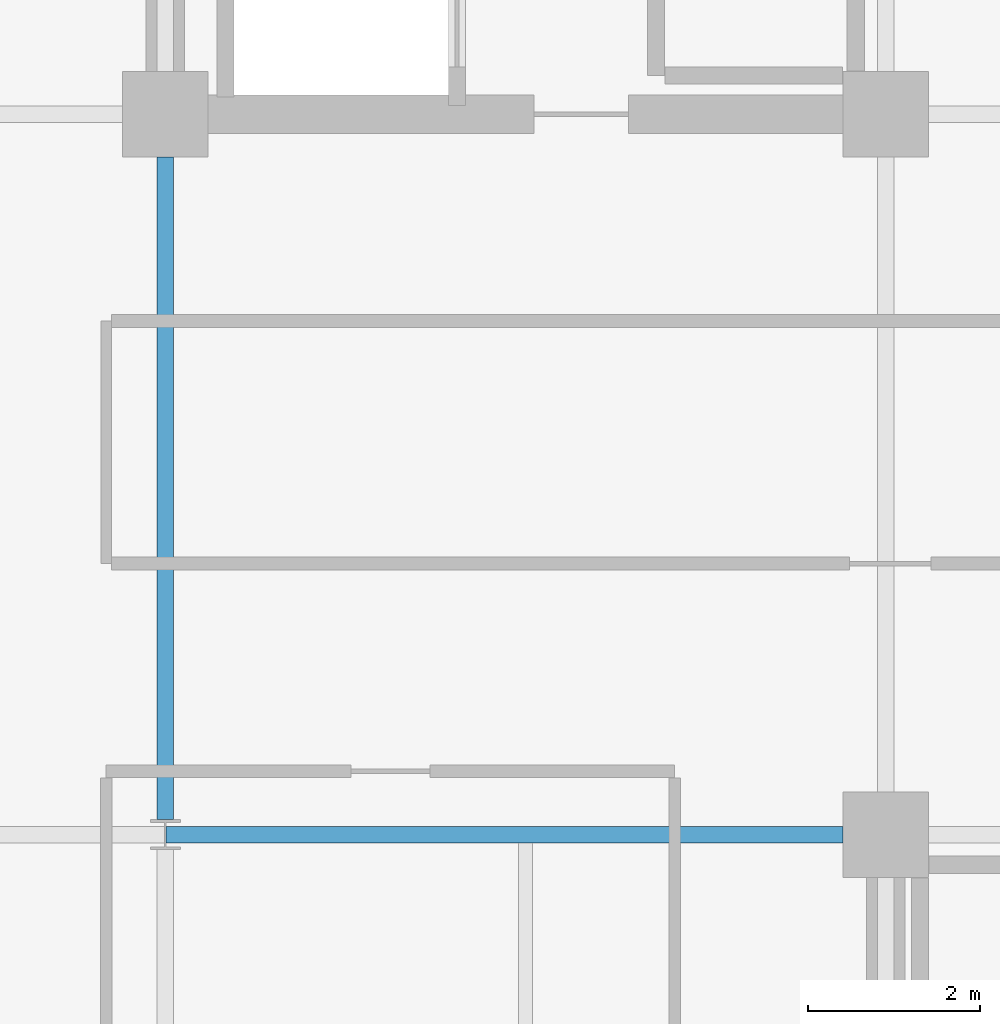
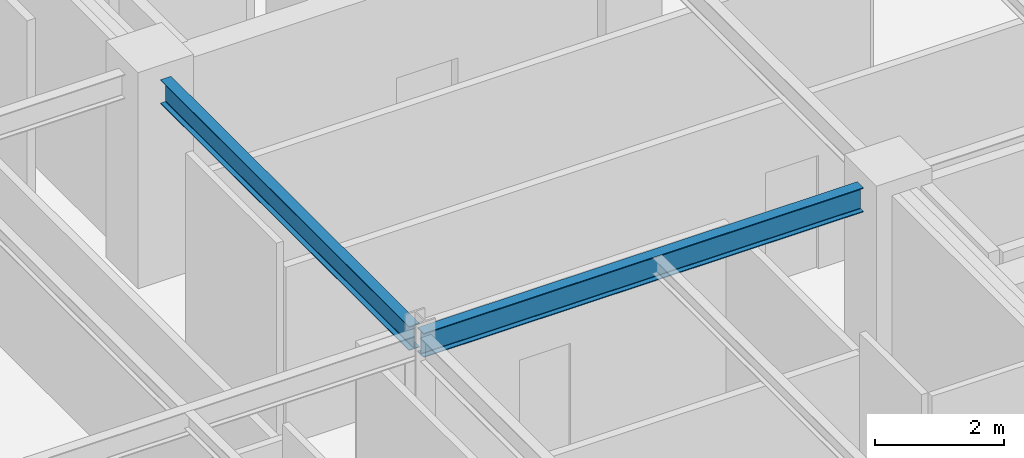
# One storey, part 9 of 25: 2 beams.
"""IFC4 building model written with IfcOpenShell, lengths in metres."""

import ifcopenshell
import ifcopenshell.guid

model = None  # the IFC model being written
_history = None  # IfcOwnerHistory: only IFC2X3 demands one
_inside = {}  # id of a spatial element -> (the spatial element, [elements in it])
_under = {}  # id of a project, library or spatial element -> (it, [spatial elements below it])
_declared = {}  # id of a project -> (the project, [libraries it declares])
_typed = {}  # id of a type object -> (the type object, [elements of that type])
_made_of = {}  # id of a material, layer set ... -> (it, [elements and type objects made of it])


def new_model(schema):
    """Start an empty IFC model of exactly this schema.

    Asked for "IFC4X3", IfcOpenShell would pick the latest addendum, in which some entities
    have other attributes; the version numbers below select the first issue.
    IFC2X3 requires an IfcOwnerHistory on every rooted entity: one is made here for all.
    """
    global model, _history
    if schema == "IFC4X3":
        model = ifcopenshell.file(schema_version=(4, 3, 0, 0))
    else:
        model = ifcopenshell.file(schema=schema)
    _inside.clear()
    _under.clear()
    _declared.clear()
    _typed.clear()
    _made_of.clear()
    _history = None
    if model.schema == "IFC2X3":
        org = make("IfcOrganization", Name="unknown")
        user = make(
            "IfcPersonAndOrganization",
            ThePerson=make("IfcPerson", FamilyName="unknown"),
            TheOrganization=org,
        )
        app = make(
            "IfcApplication",
            ApplicationDeveloper=org,
            Version="unknown",
            ApplicationFullName="unknown",
            ApplicationIdentifier="unknown",
        )
        _history = make(
            "IfcOwnerHistory",
            OwningUser=user,
            OwningApplication=app,
            ChangeAction="ADDED",
            CreationDate=0,
        )
    return model


def make(cls, **values):
    """One entity of the class cls with the attributes given. An attribute that is None is left unset."""
    return model.create_entity(
        cls, **{name: value for name, value in values.items() if value is not None}
    )


def rooted(cls, **values):
    """An entity with a GlobalId (a new one), such as an element, a storey or a relation."""
    return make(cls, GlobalId=ifcopenshell.guid.new(), OwnerHistory=_history, **values)


def si_unit(unit_type, name, prefix=None):
    """IfcSIUnit, for example si_unit("LENGTHUNIT", "METRE", prefix="MILLI")."""
    return make("IfcSIUnit", UnitType=unit_type, Prefix=prefix, Name=name)


def assignment(units):
    """IfcUnitAssignment: the units of a project."""
    return None if units is None else make("IfcUnitAssignment", Units=units)


def point(xyz):
    """IfcCartesianPoint."""
    return None if xyz is None else make("IfcCartesianPoint", Coordinates=xyz)


def direction(xyz):
    """IfcDirection."""
    return None if xyz is None else make("IfcDirection", DirectionRatios=xyz)


def frame(location, z_axis=None, x_axis=None):
    """IfcAxis2Placement3D, a coordinate frame: its origin and axes. An axis left out is left unset."""
    return make(
        "IfcAxis2Placement3D",
        Location=point(location),
        Axis=direction(z_axis),
        RefDirection=direction(x_axis),
    )


def frame_2d(location, x_axis=None):
    """IfcAxis2Placement2D, a coordinate frame in the plane: its origin and x axis."""
    return make(
        "IfcAxis2Placement2D", Location=point(location), RefDirection=direction(x_axis)
    )


def origin():
    """The frame at (0, 0, 0) with its axes left unset."""
    return frame((0.0, 0.0, 0.0))


def origin_2d():
    """The frame at (0, 0) in the plane with its x axis left unset."""
    return frame_2d((0.0, 0.0))


def place(relative_to, where):
    """IfcLocalPlacement: puts the frame where relative to a parent placement (None: the world)."""
    return make(
        "IfcLocalPlacement", PlacementRelTo=relative_to, RelativePlacement=where
    )


def context(
    kind, dimensions, precision=None, world=None, true_north=None, identifier=None
):
    """IfcGeometricRepresentationContext, for example the 3D "Model" context."""
    return make(
        "IfcGeometricRepresentationContext",
        ContextIdentifier=identifier,
        ContextType=kind,
        CoordinateSpaceDimension=dimensions,
        Precision=precision,
        WorldCoordinateSystem=world,
        TrueNorth=true_north,
    )


def subcontext(parent, identifier, kind, view, scale=None):
    """IfcGeometricRepresentationSubContext, for example "Body" below "Model"."""
    return make(
        "IfcGeometricRepresentationSubContext",
        ContextIdentifier=identifier,
        ContextType=kind,
        ParentContext=parent,
        TargetScale=scale,
        TargetView=view,
    )


def project(units=None, contexts=None):
    """IfcProject with its units and contexts."""
    return rooted(
        "IfcProject",
        Name="project",
        RepresentationContexts=contexts,
        UnitsInContext=assignment(units),
    )


def spatial(cls, under=None, at=None, **own):
    """A site, building, storey or space (cls), placed at a placement, below another one or the project."""
    s = rooted(cls, ObjectPlacement=at, **own)
    if under is not None:
        _under.setdefault(under.id(), (under, []))[1].append(s)
    return s


def profile(cls, at=None, kind="AREA", **sizes):
    """A parametric profile (cls). Its sizes go by their IFC names, for example OverallWidth=200.0."""
    return make(cls, ProfileType=kind, Position=at, **sizes)


def i_section(**sizes):
    """IfcIShapeProfileDef."""
    return profile("IfcIShapeProfileDef", **sizes)


def extrude(swept, where, along, depth):
    """IfcExtrudedAreaSolid: the profile swept, set in the frame where, extruded along a direction by depth."""
    return make(
        "IfcExtrudedAreaSolid",
        SweptArea=swept,
        Position=where,
        ExtrudedDirection=direction(along),
        Depth=depth,
    )


def shape(context_of_items, identifier, shape_type, items):
    """IfcShapeRepresentation: the items that make up one representation, for example the "Body"."""
    return make(
        "IfcShapeRepresentation",
        ContextOfItems=context_of_items,
        RepresentationIdentifier=identifier,
        RepresentationType=shape_type,
        Items=items,
    )


def material(Name=None, Category=None):
    """IfcMaterial."""
    return make("IfcMaterial", Name=Name, Category=Category)


def material_profile(
    of_material, cross_section, Name=None, Category=None, Priority=None
):
    """IfcMaterialProfile: a cross section and its material."""
    return make(
        "IfcMaterialProfile",
        Name=Name,
        Material=of_material,
        Profile=cross_section,
        Priority=Priority,
        Category=Category,
    )


def profile_set(profiles, Name=None, composite=None):
    """IfcMaterialProfileSet."""
    return make(
        "IfcMaterialProfileSet",
        Name=Name,
        MaterialProfiles=profiles,
        CompositeProfile=composite,
    )


def made_of(thing, what):
    """Note that an element or type object is made of a material, layer set ...; save() writes the relation."""
    if what is not None:
        _made_of.setdefault(what.id(), (what, []))[1].append(thing)
    return thing


def type_object(cls, material=None, **own):
    """A type object (cls), such as IfcWallType, which elements share."""
    return made_of(rooted(cls, **own), material)


def element(
    cls,
    number,
    at=None,
    inside=None,
    cuts=None,
    type_object=None,
    material=None,
    context=None,
    identifier="Body",
    shape_type=None,
    held_by="IfcProductDefinitionShape",
    body=None,
    shapes=None,
    **own,
):
    """One element of the class cls, such as IfcWall. Its Tag is "e" and its number.

    at: its placement. inside: the storey or other place that contains it. cuts: it is an
    opening in that element (IfcRelVoidsElement). A single representation is given by context,
    identifier, shape_type and body (its items); several are given by shapes. held_by: the class
    of the entity that holds the representations. save() writes the other relations.
    """
    e = rooted(cls, Tag="e%d" % number, ObjectPlacement=at, **own)
    if body is not None:
        shapes = [shape(context, identifier, shape_type, body)]
    if shapes is not None:
        e.Representation = make(held_by, Representations=shapes)
    if inside is not None:
        _inside.setdefault(inside.id(), (inside, []))[1].append(e)
    if cuts is not None:
        rooted(
            "IfcRelVoidsElement", RelatingBuildingElement=cuts, RelatedOpeningElement=e
        )
    if type_object is not None:
        _typed.setdefault(type_object.id(), (type_object, []))[1].append(e)
    return made_of(e, material)


def aggregate(whole, parts):
    """IfcRelAggregates: a whole, such as a stair, and the parts it consists of."""
    return rooted("IfcRelAggregates", RelatingObject=whole, RelatedObjects=parts)


def save(model, path):
    """Write the relations noted so far, then the file.

    IfcRelAggregates (storeys below a building ...), IfcRelContainedInSpatialStructure (elements
    in a storey), IfcRelDefinesByType, IfcRelAssociatesMaterial and IfcRelDeclares: one each for
    every whole, place, type object, material and project.
    """
    for whole, parts in _under.values():
        aggregate(whole, parts)
    for where, things in _inside.values():
        rooted(
            "IfcRelContainedInSpatialStructure",
            RelatedElements=things,
            RelatingStructure=where,
        )
    for kind, things in _typed.values():
        rooted("IfcRelDefinesByType", RelatedObjects=things, RelatingType=kind)
    for what, things in _made_of.values():
        rooted("IfcRelAssociatesMaterial", RelatedObjects=things, RelatingMaterial=what)
    for by, libraries in _declared.values():
        rooted("IfcRelDeclares", RelatingContext=by, RelatedDefinitions=libraries)
    model.write(path)


model = new_model("IFC4")

# Units and contexts
model_context = context("Model", 3, precision=1e-05, world=origin(), true_north=direction((0.0, 1.0)))
body_context = subcontext(model_context, "Body", "Model", "MODEL_VIEW")
ifc_project = project(units=[si_unit("LENGTHUNIT", "METRE"), si_unit("AREAUNIT", "SQUARE_METRE"), si_unit("VOLUMEUNIT", "CUBIC_METRE"), si_unit("PLANEANGLEUNIT", "RADIAN"), si_unit("MASSUNIT", "GRAM", prefix="KILO")], contexts=[model_context])

# Site, building, storey
site_placement = place(None, origin())
site = spatial("IfcSite", under=ifc_project, at=site_placement, CompositionType="ELEMENT")
building_placement = place(site_placement, origin())
building = spatial("IfcBuilding", under=site, at=building_placement, Name="Nerrivon Quay Data Exchange", CompositionType="ELEMENT")
storey_placement = place(building_placement, frame((0.0, 0.0, 237.0)))
storey = spatial("IfcBuildingStorey", under=building, at=storey_placement, Name="L56", CompositionType="ELEMENT", Elevation=237.0)

# Beams
ifc_material = material(Name="Steel Grade 350", Category="steel")
ifc_material_profile_1 = material_profile(ifc_material, i_section(OverallWidth=0.19091796875, OverallDepth=0.4599609375, WebThickness=0.010009765625, FlangeThickness=0.01611328125, FilletRadius=0.011474609375, at=origin_2d()), Name="460UB82.1")
ifc_profile_set_1 = profile_set([ifc_material_profile_1], Name="Steel Grade 350")
beam_type_1 = type_object("IfcBeamType", Name="BM-G5-460UB82", PredefinedType="BEAM", material=ifc_profile_set_1)
beam_1_placement = place(storey_placement, frame((8.409912109375, 16.800048828125, 3.594970703125), z_axis=(1.0, 0.0, 0.0), x_axis=(0.0, 1.0, 0.0)))
element("IfcBeam", 1, at=beam_1_placement, inside=storey, type_object=beam_type_1, Name="L56 EW Girder Y=16.8 (8.4..16.8)", PredefinedType="BEAM", context=body_context, shape_type="SweptSolid", body=[
    extrude(i_section(OverallWidth=0.19091796875, OverallDepth=0.4599609375, WebThickness=0.010009765625, FlangeThickness=0.01611328125, FilletRadius=0.011474609375, at=origin_2d()), origin(), (0.0, 0.0, 1.0), 7.89013671875),
])
ifc_material_profile_2 = material_profile(ifc_material, i_section(OverallWidth=0.18994140625, OverallDepth=0.4541015625, WebThickness=0.008544921875, FlangeThickness=0.0126953125, FilletRadius=0.011474609375, at=origin_2d()), Name="460UB67.1")
ifc_profile_set_2 = profile_set([ifc_material_profile_2], Name="Steel Grade 350")
beam_type_2 = type_object("IfcBeamType", Name="BM-G6-460UB67", PredefinedType="BEAM", material=ifc_profile_set_2)
beam_2_placement = place(storey_placement, frame((8.39990234375, 16.97509765625, 3.597900390625), z_axis=(0.0, 1.0, 0.0), x_axis=(-1.0, 0.0, 0.0)))
element("IfcBeam", 2, at=beam_2_placement, inside=storey, type_object=beam_type_2, Name="L56 NS Girder X=8.4 (16.8..25.2)", PredefinedType="BEAM", context=body_context, shape_type="SweptSolid", body=[
    extrude(i_section(OverallWidth=0.18994140625, OverallDepth=0.4541015625, WebThickness=0.008544921875, FlangeThickness=0.0126953125, FilletRadius=0.011474609375, at=origin_2d()), origin(), (0.0, 0.0, 1.0), 7.724853515625),
])

save(model, "model.ifc")
